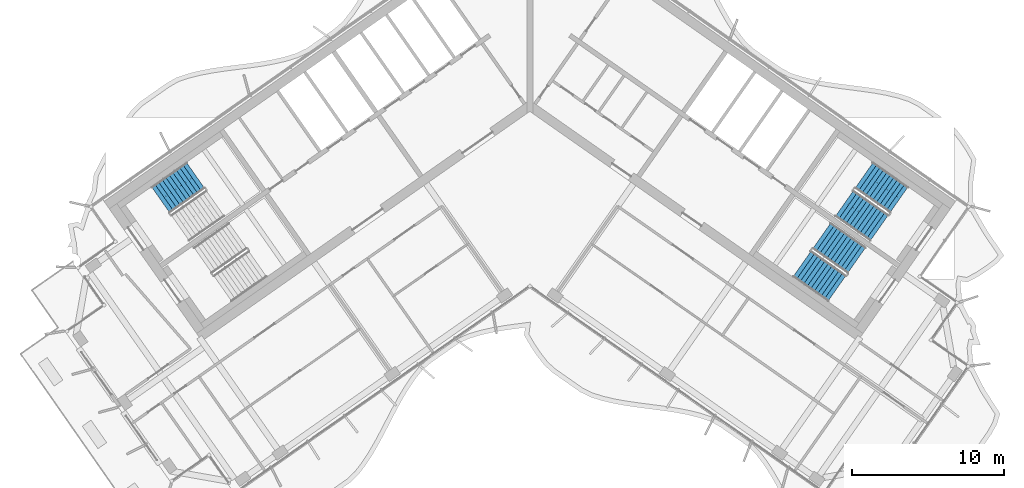
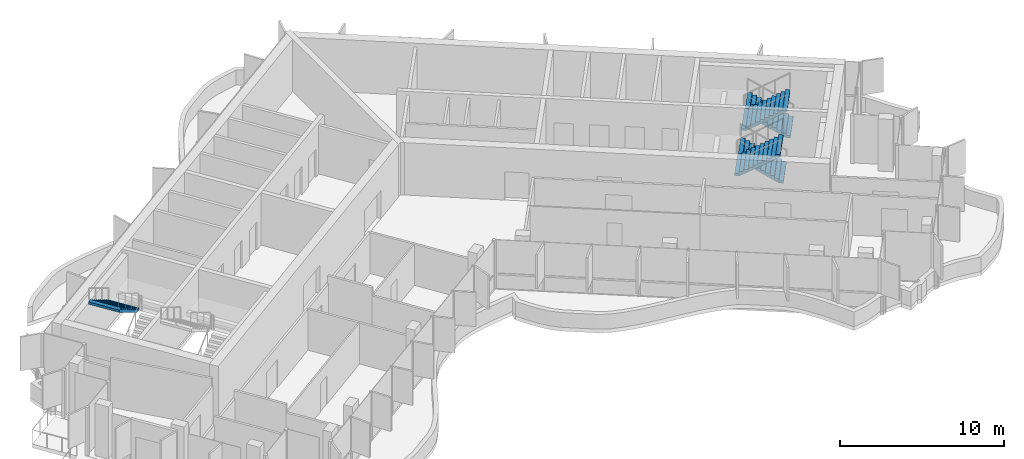
# One storey, part 12 of 18: 5 stair flights, 3 elements without a shape of their own.
"""IFC4 building model written with IfcOpenShell, lengths in metres."""

from ifc_helpers import new_model, si_unit, direction, frame, origin, place, context, subcontext, project, spatial, polyline, outline, extrude, material, type_object, element, aggregate, save


model = new_model("IFC4")

# Units and contexts
model_context = context("Model", 3, precision=1e-05, world=origin(), true_north=direction((0.0, 1.0)))
body_context = subcontext(model_context, "Body", "Model", "MODEL_VIEW")
ifc_project = project(units=[si_unit("LENGTHUNIT", "METRE"), si_unit("AREAUNIT", "SQUARE_METRE"), si_unit("VOLUMEUNIT", "CUBIC_METRE"), si_unit("PLANEANGLEUNIT", "RADIAN"), si_unit("MASSUNIT", "GRAM", prefix="KILO")], contexts=[model_context])

# Site, building, storey
site_placement = place(None, origin())
site = spatial("IfcSite", under=ifc_project, at=site_placement, CompositionType="ELEMENT")
building_placement = place(site_placement, origin())
building = spatial("IfcBuilding", under=site, at=building_placement, Name="Tel Ilan Convention Tower", CompositionType="ELEMENT")
storey_placement = place(building_placement, frame((0.0, 0.0, 295.60009765625)))
storey = spatial("IfcBuildingStorey", under=building, at=storey_placement, Name="L70", CompositionType="ELEMENT", Elevation=295.60009765625)

# Stair, stair flight
ifc_material_1 = material(Name="Concrete C40/50", Category="concrete")
stair_type = type_object("IfcStairType", Name="Pressurised Exit Stair 22 risers 177 mm", PredefinedType="HALF_TURN_STAIR", material=ifc_material_1)
stair_1_placement = place(storey_placement, origin())
stair_1 = element("IfcStair", 1, at=stair_1_placement, inside=storey, type_object=stair_type, Name="L70 Pressurised Stair S1", PredefinedType="HALF_TURN_STAIR")
ifc_material_2 = material(Name="Precast Concrete C40/50", Category="concrete")
stair_flight_type = type_object("IfcStairFlightType", Name="Concrete Stair Flight 2100 mm 22 risers 177 mm", PredefinedType="STRAIGHT", material=ifc_material_2)
stair_flight_1_placement = place(storey_placement, frame((-21.958740234375, -5.42626953125, 1.949951171875), z_axis=(0.0, 0.0, 1.0), x_axis=(-0.819152044289, -0.573576436351, 0.0)))
stair_flight_1 = element("IfcStairFlight", 2, at=stair_flight_1_placement, type_object=stair_flight_type, Name="S1 flight 2", NumberOfRisers=11, NumberOfTreads=10, PredefinedType="STRAIGHT", RiserHeight=0.177272727, TreadLength=0.28, context=body_context, shape_type="SweptSolid", body=[
    extrude(outline(polyline([(0.0, 0.0), (0.0, 0.17724609375), (0.280029296875, 0.17724609375), (0.280029296875, 0.3544921875), (0.56005859375, 0.3544921875), (0.56005859375, 0.53173828125), (0.840087890625, 0.53173828125), (0.840087890625, 0.708984375), (1.1201171875, 0.708984375), (1.1201171875, 0.886474609375), (1.39990234375, 0.886474609375), (1.39990234375, 1.063720703125), (1.679931640625, 1.063720703125), (1.679931640625, 1.240966796875), (1.9599609375, 1.240966796875), (1.9599609375, 1.418212890625), (2.239990234375, 1.418212890625), (2.239990234375, 1.595458984375), (2.52001953125, 1.595458984375), (2.52001953125, 1.772705078125), (2.800048828125, 1.772705078125), (2.800048828125, 1.949951171875), (2.800048828125, 1.59521484375), (0.2802734375, 0.0), (0.0, 0.0)])), frame((0.0, -0.100341796875, 0.0), z_axis=(0.0, -1.0, 0.0), x_axis=(1.0, 0.0, 0.0)), (0.0, 0.0, 1.0), 0.94970703125),
    extrude(outline(polyline([(0.0, 0.0), (0.0, 0.17724609375), (0.280029296875, 0.17724609375), (0.280029296875, 0.3544921875), (0.56005859375, 0.3544921875), (0.56005859375, 0.53173828125), (0.840087890625, 0.53173828125), (0.840087890625, 0.708984375), (1.1201171875, 0.708984375), (1.1201171875, 0.886474609375), (1.39990234375, 0.886474609375), (1.39990234375, 1.063720703125), (1.679931640625, 1.063720703125), (1.679931640625, 1.240966796875), (1.9599609375, 1.240966796875), (1.9599609375, 1.418212890625), (2.239990234375, 1.418212890625), (2.239990234375, 1.595458984375), (2.52001953125, 1.595458984375), (2.52001953125, 1.772705078125), (2.800048828125, 1.772705078125), (2.800048828125, 1.949951171875), (2.800048828125, 1.59521484375), (0.2802734375, 0.0), (0.0, 0.0)])), frame((0.0, -0.000244140625, 0.0), z_axis=(0.0, -1.0, 0.0), x_axis=(1.0, 0.0, 0.0)), (0.0, 0.0, 1.0), 0.099609375),
    extrude(outline(polyline([(0.0, 0.0), (0.0, 0.17724609375), (0.280029296875, 0.17724609375), (0.280029296875, 0.3544921875), (0.56005859375, 0.3544921875), (0.56005859375, 0.53173828125), (0.840087890625, 0.53173828125), (0.840087890625, 0.708984375), (1.1201171875, 0.708984375), (1.1201171875, 0.886474609375), (1.39990234375, 0.886474609375), (1.39990234375, 1.063720703125), (1.679931640625, 1.063720703125), (1.679931640625, 1.240966796875), (1.9599609375, 1.240966796875), (1.9599609375, 1.418212890625), (2.239990234375, 1.418212890625), (2.239990234375, 1.595458984375), (2.52001953125, 1.595458984375), (2.52001953125, 1.772705078125), (2.800048828125, 1.772705078125), (2.800048828125, 1.949951171875), (2.800048828125, 1.59521484375), (0.2802734375, 0.0), (0.0, 0.0)])), frame((0.0, 0.099853515625, 0.0), z_axis=(0.0, -1.0, 0.0), x_axis=(1.0, 0.0, 0.0)), (0.0, 0.0, 1.0), 0.099609375),
    extrude(outline(polyline([(0.0, 0.0), (0.0, 0.17724609375), (0.280029296875, 0.17724609375), (0.280029296875, 0.3544921875), (0.56005859375, 0.3544921875), (0.56005859375, 0.53173828125), (0.840087890625, 0.53173828125), (0.840087890625, 0.708984375), (1.1201171875, 0.708984375), (1.1201171875, 0.886474609375), (1.39990234375, 0.886474609375), (1.39990234375, 1.063720703125), (1.679931640625, 1.063720703125), (1.679931640625, 1.240966796875), (1.9599609375, 1.240966796875), (1.9599609375, 1.418212890625), (2.239990234375, 1.418212890625), (2.239990234375, 1.595458984375), (2.52001953125, 1.595458984375), (2.52001953125, 1.772705078125), (2.800048828125, 1.772705078125), (2.800048828125, 1.949951171875), (2.800048828125, 1.59521484375), (0.2802734375, 0.0), (0.0, 0.0)])), frame((0.0, 1.050048828125, 0.0), z_axis=(0.0, -1.0, 0.0), x_axis=(1.0, 0.0, 0.0)), (0.0, 0.0, 1.0), 0.94970703125),
])
aggregate(stair_1, [stair_flight_1])

# Stair, stair flights
stair_2_placement = place(storey_placement, origin())
stair_2 = element("IfcStair", 3, at=stair_2_placement, inside=storey, type_object=stair_type, Name="L70 Pressurised Stair S3", PredefinedType="HALF_TURN_STAIR")
stair_flight_2_placement = place(storey_placement, frame((24.25244140625, -7.032470703125, 0.0), z_axis=(0.0, 0.0, 1.0), x_axis=(-0.819152044289, 0.573576436351, 0.0)))
stair_flight_2 = element("IfcStairFlight", 4, at=stair_flight_2_placement, type_object=stair_flight_type, Name="S3 flight 1", NumberOfRisers=11, NumberOfTreads=10, PredefinedType="STRAIGHT", RiserHeight=0.177272727, TreadLength=0.28, context=body_context, shape_type="SweptSolid", body=[
    extrude(outline(polyline([(0.0, 0.0), (0.0, 0.17724609375), (0.280029296875, 0.17724609375), (0.280029296875, 0.3544921875), (0.56005859375, 0.3544921875), (0.56005859375, 0.53173828125), (0.840087890625, 0.53173828125), (0.840087890625, 0.708984375), (1.1201171875, 0.708984375), (1.1201171875, 0.886474609375), (1.39990234375, 0.886474609375), (1.39990234375, 1.063720703125), (1.679931640625, 1.063720703125), (1.679931640625, 1.240966796875), (1.9599609375, 1.240966796875), (1.9599609375, 1.418212890625), (2.239990234375, 1.418212890625), (2.239990234375, 1.595458984375), (2.52001953125, 1.595458984375), (2.52001953125, 1.772705078125), (2.800048828125, 1.772705078125), (2.800048828125, 1.949951171875), (2.800048828125, 1.59521484375), (0.2802734375, 0.0), (0.0, 0.0)])), frame((0.0, -0.100341796875, 0.0), z_axis=(0.0, -1.0, 0.0), x_axis=(1.0, 0.0, 0.0)), (0.0, 0.0, 1.0), 0.94970703125),
    extrude(outline(polyline([(0.0, 0.0), (0.0, 0.17724609375), (0.280029296875, 0.17724609375), (0.280029296875, 0.3544921875), (0.56005859375, 0.3544921875), (0.56005859375, 0.53173828125), (0.840087890625, 0.53173828125), (0.840087890625, 0.708984375), (1.1201171875, 0.708984375), (1.1201171875, 0.886474609375), (1.39990234375, 0.886474609375), (1.39990234375, 1.063720703125), (1.679931640625, 1.063720703125), (1.679931640625, 1.240966796875), (1.9599609375, 1.240966796875), (1.9599609375, 1.418212890625), (2.239990234375, 1.418212890625), (2.239990234375, 1.595458984375), (2.52001953125, 1.595458984375), (2.52001953125, 1.772705078125), (2.800048828125, 1.772705078125), (2.800048828125, 1.949951171875), (2.800048828125, 1.59521484375), (0.2802734375, 0.0), (0.0, 0.0)])), frame((0.0, -0.000244140625, 0.0), z_axis=(0.0, -1.0, 0.0), x_axis=(1.0, 0.0, 0.0)), (0.0, 0.0, 1.0), 0.099609375),
    extrude(outline(polyline([(0.0, 0.0), (0.0, 0.17724609375), (0.280029296875, 0.17724609375), (0.280029296875, 0.3544921875), (0.56005859375, 0.3544921875), (0.56005859375, 0.53173828125), (0.840087890625, 0.53173828125), (0.840087890625, 0.708984375), (1.1201171875, 0.708984375), (1.1201171875, 0.886474609375), (1.39990234375, 0.886474609375), (1.39990234375, 1.063720703125), (1.679931640625, 1.063720703125), (1.679931640625, 1.240966796875), (1.9599609375, 1.240966796875), (1.9599609375, 1.418212890625), (2.239990234375, 1.418212890625), (2.239990234375, 1.595458984375), (2.52001953125, 1.595458984375), (2.52001953125, 1.772705078125), (2.800048828125, 1.772705078125), (2.800048828125, 1.949951171875), (2.800048828125, 1.59521484375), (0.2802734375, 0.0), (0.0, 0.0)])), frame((0.0, 0.099853515625, 0.0), z_axis=(0.0, -1.0, 0.0), x_axis=(1.0, 0.0, 0.0)), (0.0, 0.0, 1.0), 0.099609375),
    extrude(outline(polyline([(0.0, 0.0), (0.0, 0.17724609375), (0.280029296875, 0.17724609375), (0.280029296875, 0.3544921875), (0.56005859375, 0.3544921875), (0.56005859375, 0.53173828125), (0.840087890625, 0.53173828125), (0.840087890625, 0.708984375), (1.1201171875, 0.708984375), (1.1201171875, 0.886474609375), (1.39990234375, 0.886474609375), (1.39990234375, 1.063720703125), (1.679931640625, 1.063720703125), (1.679931640625, 1.240966796875), (1.9599609375, 1.240966796875), (1.9599609375, 1.418212890625), (2.239990234375, 1.418212890625), (2.239990234375, 1.595458984375), (2.52001953125, 1.595458984375), (2.52001953125, 1.772705078125), (2.800048828125, 1.772705078125), (2.800048828125, 1.949951171875), (2.800048828125, 1.59521484375), (0.2802734375, 0.0), (0.0, 0.0)])), frame((0.0, 1.050048828125, 0.0), z_axis=(0.0, -1.0, 0.0), x_axis=(1.0, 0.0, 0.0)), (0.0, 0.0, 1.0), 0.94970703125),
])
stair_flight_3_placement = place(storey_placement, frame((20.668212890625, -7.26953125, 1.949951171875), z_axis=(0.0, 0.0, 1.0), x_axis=(0.819152044289, -0.573576436351, 0.0)))
stair_flight_3 = element("IfcStairFlight", 5, at=stair_flight_3_placement, type_object=stair_flight_type, Name="S3 flight 2", NumberOfRisers=11, NumberOfTreads=10, PredefinedType="STRAIGHT", RiserHeight=0.177272727, TreadLength=0.28, context=body_context, shape_type="SweptSolid", body=[
    extrude(outline(polyline([(0.0, 0.0), (0.0, 0.17724609375), (0.280029296875, 0.17724609375), (0.280029296875, 0.3544921875), (0.56005859375, 0.3544921875), (0.56005859375, 0.53173828125), (0.840087890625, 0.53173828125), (0.840087890625, 0.708984375), (1.1201171875, 0.708984375), (1.1201171875, 0.886474609375), (1.39990234375, 0.886474609375), (1.39990234375, 1.063720703125), (1.679931640625, 1.063720703125), (1.679931640625, 1.240966796875), (1.9599609375, 1.240966796875), (1.9599609375, 1.418212890625), (2.239990234375, 1.418212890625), (2.239990234375, 1.595458984375), (2.52001953125, 1.595458984375), (2.52001953125, 1.772705078125), (2.800048828125, 1.772705078125), (2.800048828125, 1.949951171875), (2.800048828125, 1.59521484375), (0.2802734375, 0.0), (0.0, 0.0)])), frame((0.0, -0.100341796875, 0.0), z_axis=(0.0, -1.0, 0.0), x_axis=(1.0, 0.0, 0.0)), (0.0, 0.0, 1.0), 0.94970703125),
    extrude(outline(polyline([(0.0, 0.0), (0.0, 0.17724609375), (0.280029296875, 0.17724609375), (0.280029296875, 0.3544921875), (0.56005859375, 0.3544921875), (0.56005859375, 0.53173828125), (0.840087890625, 0.53173828125), (0.840087890625, 0.708984375), (1.1201171875, 0.708984375), (1.1201171875, 0.886474609375), (1.39990234375, 0.886474609375), (1.39990234375, 1.063720703125), (1.679931640625, 1.063720703125), (1.679931640625, 1.240966796875), (1.9599609375, 1.240966796875), (1.9599609375, 1.418212890625), (2.239990234375, 1.418212890625), (2.239990234375, 1.595458984375), (2.52001953125, 1.595458984375), (2.52001953125, 1.772705078125), (2.800048828125, 1.772705078125), (2.800048828125, 1.949951171875), (2.800048828125, 1.59521484375), (0.2802734375, 0.0), (0.0, 0.0)])), frame((0.0, -0.000244140625, 0.0), z_axis=(0.0, -1.0, 0.0), x_axis=(1.0, 0.0, 0.0)), (0.0, 0.0, 1.0), 0.099609375),
    extrude(outline(polyline([(0.0, 0.0), (0.0, 0.17724609375), (0.280029296875, 0.17724609375), (0.280029296875, 0.3544921875), (0.56005859375, 0.3544921875), (0.56005859375, 0.53173828125), (0.840087890625, 0.53173828125), (0.840087890625, 0.708984375), (1.1201171875, 0.708984375), (1.1201171875, 0.886474609375), (1.39990234375, 0.886474609375), (1.39990234375, 1.063720703125), (1.679931640625, 1.063720703125), (1.679931640625, 1.240966796875), (1.9599609375, 1.240966796875), (1.9599609375, 1.418212890625), (2.239990234375, 1.418212890625), (2.239990234375, 1.595458984375), (2.52001953125, 1.595458984375), (2.52001953125, 1.772705078125), (2.800048828125, 1.772705078125), (2.800048828125, 1.949951171875), (2.800048828125, 1.59521484375), (0.2802734375, 0.0), (0.0, 0.0)])), frame((0.0, 0.099853515625, 0.0), z_axis=(0.0, -1.0, 0.0), x_axis=(1.0, 0.0, 0.0)), (0.0, 0.0, 1.0), 0.099609375),
    extrude(outline(polyline([(0.0, 0.0), (0.0, 0.17724609375), (0.280029296875, 0.17724609375), (0.280029296875, 0.3544921875), (0.56005859375, 0.3544921875), (0.56005859375, 0.53173828125), (0.840087890625, 0.53173828125), (0.840087890625, 0.708984375), (1.1201171875, 0.708984375), (1.1201171875, 0.886474609375), (1.39990234375, 0.886474609375), (1.39990234375, 1.063720703125), (1.679931640625, 1.063720703125), (1.679931640625, 1.240966796875), (1.9599609375, 1.240966796875), (1.9599609375, 1.418212890625), (2.239990234375, 1.418212890625), (2.239990234375, 1.595458984375), (2.52001953125, 1.595458984375), (2.52001953125, 1.772705078125), (2.800048828125, 1.772705078125), (2.800048828125, 1.949951171875), (2.800048828125, 1.59521484375), (0.2802734375, 0.0), (0.0, 0.0)])), frame((0.0, 1.050048828125, 0.0), z_axis=(0.0, -1.0, 0.0), x_axis=(1.0, 0.0, 0.0)), (0.0, 0.0, 1.0), 0.94970703125),
])
aggregate(stair_2, [stair_flight_2, stair_flight_3])

stair_3_placement = place(storey_placement, origin())
stair_3 = element("IfcStair", 6, at=stair_3_placement, inside=storey, type_object=stair_type, Name="L70 Pressurised Stair S4", PredefinedType="HALF_TURN_STAIR")
stair_flight_4_placement = place(storey_placement, frame((21.470458984375, -11.00537109375, 0.0), z_axis=(0.0, 0.0, 1.0), x_axis=(-0.819152044289, 0.573576436351, 0.0)))
stair_flight_4 = element("IfcStairFlight", 7, at=stair_flight_4_placement, type_object=stair_flight_type, Name="S4 flight 1", NumberOfRisers=11, NumberOfTreads=10, PredefinedType="STRAIGHT", RiserHeight=0.177272727, TreadLength=0.28, context=body_context, shape_type="SweptSolid", body=[
    extrude(outline(polyline([(0.0, 0.0), (0.0, 0.17724609375), (0.280029296875, 0.17724609375), (0.280029296875, 0.3544921875), (0.56005859375, 0.3544921875), (0.56005859375, 0.53173828125), (0.840087890625, 0.53173828125), (0.840087890625, 0.708984375), (1.1201171875, 0.708984375), (1.1201171875, 0.886474609375), (1.39990234375, 0.886474609375), (1.39990234375, 1.063720703125), (1.679931640625, 1.063720703125), (1.679931640625, 1.240966796875), (1.9599609375, 1.240966796875), (1.9599609375, 1.418212890625), (2.239990234375, 1.418212890625), (2.239990234375, 1.595458984375), (2.52001953125, 1.595458984375), (2.52001953125, 1.772705078125), (2.800048828125, 1.772705078125), (2.800048828125, 1.949951171875), (2.800048828125, 1.59521484375), (0.2802734375, 0.0), (0.0, 0.0)])), frame((0.0, -0.100341796875, 0.0), z_axis=(0.0, -1.0, 0.0), x_axis=(1.0, 0.0, 0.0)), (0.0, 0.0, 1.0), 0.94970703125),
    extrude(outline(polyline([(0.0, 0.0), (0.0, 0.17724609375), (0.280029296875, 0.17724609375), (0.280029296875, 0.3544921875), (0.56005859375, 0.3544921875), (0.56005859375, 0.53173828125), (0.840087890625, 0.53173828125), (0.840087890625, 0.708984375), (1.1201171875, 0.708984375), (1.1201171875, 0.886474609375), (1.39990234375, 0.886474609375), (1.39990234375, 1.063720703125), (1.679931640625, 1.063720703125), (1.679931640625, 1.240966796875), (1.9599609375, 1.240966796875), (1.9599609375, 1.418212890625), (2.239990234375, 1.418212890625), (2.239990234375, 1.595458984375), (2.52001953125, 1.595458984375), (2.52001953125, 1.772705078125), (2.800048828125, 1.772705078125), (2.800048828125, 1.949951171875), (2.800048828125, 1.59521484375), (0.2802734375, 0.0), (0.0, 0.0)])), frame((0.0, -0.000244140625, 0.0), z_axis=(0.0, -1.0, 0.0), x_axis=(1.0, 0.0, 0.0)), (0.0, 0.0, 1.0), 0.099609375),
    extrude(outline(polyline([(0.0, 0.0), (0.0, 0.17724609375), (0.280029296875, 0.17724609375), (0.280029296875, 0.3544921875), (0.56005859375, 0.3544921875), (0.56005859375, 0.53173828125), (0.840087890625, 0.53173828125), (0.840087890625, 0.708984375), (1.1201171875, 0.708984375), (1.1201171875, 0.886474609375), (1.39990234375, 0.886474609375), (1.39990234375, 1.063720703125), (1.679931640625, 1.063720703125), (1.679931640625, 1.240966796875), (1.9599609375, 1.240966796875), (1.9599609375, 1.418212890625), (2.239990234375, 1.418212890625), (2.239990234375, 1.595458984375), (2.52001953125, 1.595458984375), (2.52001953125, 1.772705078125), (2.800048828125, 1.772705078125), (2.800048828125, 1.949951171875), (2.800048828125, 1.59521484375), (0.2802734375, 0.0), (0.0, 0.0)])), frame((0.0, 0.099853515625, 0.0), z_axis=(0.0, -1.0, 0.0), x_axis=(1.0, 0.0, 0.0)), (0.0, 0.0, 1.0), 0.099609375),
    extrude(outline(polyline([(0.0, 0.0), (0.0, 0.17724609375), (0.280029296875, 0.17724609375), (0.280029296875, 0.3544921875), (0.56005859375, 0.3544921875), (0.56005859375, 0.53173828125), (0.840087890625, 0.53173828125), (0.840087890625, 0.708984375), (1.1201171875, 0.708984375), (1.1201171875, 0.886474609375), (1.39990234375, 0.886474609375), (1.39990234375, 1.063720703125), (1.679931640625, 1.063720703125), (1.679931640625, 1.240966796875), (1.9599609375, 1.240966796875), (1.9599609375, 1.418212890625), (2.239990234375, 1.418212890625), (2.239990234375, 1.595458984375), (2.52001953125, 1.595458984375), (2.52001953125, 1.772705078125), (2.800048828125, 1.772705078125), (2.800048828125, 1.949951171875), (2.800048828125, 1.59521484375), (0.2802734375, 0.0), (0.0, 0.0)])), frame((0.0, 1.050048828125, 0.0), z_axis=(0.0, -1.0, 0.0), x_axis=(1.0, 0.0, 0.0)), (0.0, 0.0, 1.0), 0.94970703125),
])
stair_flight_5_placement = place(storey_placement, frame((17.886474609375, -11.242431640625, 1.949951171875), z_axis=(0.0, 0.0, 1.0), x_axis=(0.819152044289, -0.573576436351, 0.0)))
stair_flight_5 = element("IfcStairFlight", 8, at=stair_flight_5_placement, type_object=stair_flight_type, Name="S4 flight 2", NumberOfRisers=11, NumberOfTreads=10, PredefinedType="STRAIGHT", RiserHeight=0.177272727, TreadLength=0.28, context=body_context, shape_type="SweptSolid", body=[
    extrude(outline(polyline([(0.0, 0.0), (0.0, 0.17724609375), (0.280029296875, 0.17724609375), (0.280029296875, 0.3544921875), (0.56005859375, 0.3544921875), (0.56005859375, 0.53173828125), (0.840087890625, 0.53173828125), (0.840087890625, 0.708984375), (1.1201171875, 0.708984375), (1.1201171875, 0.886474609375), (1.39990234375, 0.886474609375), (1.39990234375, 1.063720703125), (1.679931640625, 1.063720703125), (1.679931640625, 1.240966796875), (1.9599609375, 1.240966796875), (1.9599609375, 1.418212890625), (2.239990234375, 1.418212890625), (2.239990234375, 1.595458984375), (2.52001953125, 1.595458984375), (2.52001953125, 1.772705078125), (2.800048828125, 1.772705078125), (2.800048828125, 1.949951171875), (2.800048828125, 1.59521484375), (0.2802734375, 0.0), (0.0, 0.0)])), frame((0.0, -0.100341796875, 0.0), z_axis=(0.0, -1.0, 0.0), x_axis=(1.0, 0.0, 0.0)), (0.0, 0.0, 1.0), 0.94970703125),
    extrude(outline(polyline([(0.0, 0.0), (0.0, 0.17724609375), (0.280029296875, 0.17724609375), (0.280029296875, 0.3544921875), (0.56005859375, 0.3544921875), (0.56005859375, 0.53173828125), (0.840087890625, 0.53173828125), (0.840087890625, 0.708984375), (1.1201171875, 0.708984375), (1.1201171875, 0.886474609375), (1.39990234375, 0.886474609375), (1.39990234375, 1.063720703125), (1.679931640625, 1.063720703125), (1.679931640625, 1.240966796875), (1.9599609375, 1.240966796875), (1.9599609375, 1.418212890625), (2.239990234375, 1.418212890625), (2.239990234375, 1.595458984375), (2.52001953125, 1.595458984375), (2.52001953125, 1.772705078125), (2.800048828125, 1.772705078125), (2.800048828125, 1.949951171875), (2.800048828125, 1.59521484375), (0.2802734375, 0.0), (0.0, 0.0)])), frame((0.0, -0.000244140625, 0.0), z_axis=(0.0, -1.0, 0.0), x_axis=(1.0, 0.0, 0.0)), (0.0, 0.0, 1.0), 0.099609375),
    extrude(outline(polyline([(0.0, 0.0), (0.0, 0.17724609375), (0.280029296875, 0.17724609375), (0.280029296875, 0.3544921875), (0.56005859375, 0.3544921875), (0.56005859375, 0.53173828125), (0.840087890625, 0.53173828125), (0.840087890625, 0.708984375), (1.1201171875, 0.708984375), (1.1201171875, 0.886474609375), (1.39990234375, 0.886474609375), (1.39990234375, 1.063720703125), (1.679931640625, 1.063720703125), (1.679931640625, 1.240966796875), (1.9599609375, 1.240966796875), (1.9599609375, 1.418212890625), (2.239990234375, 1.418212890625), (2.239990234375, 1.595458984375), (2.52001953125, 1.595458984375), (2.52001953125, 1.772705078125), (2.800048828125, 1.772705078125), (2.800048828125, 1.949951171875), (2.800048828125, 1.59521484375), (0.2802734375, 0.0), (0.0, 0.0)])), frame((0.0, 0.099853515625, 0.0), z_axis=(0.0, -1.0, 0.0), x_axis=(1.0, 0.0, 0.0)), (0.0, 0.0, 1.0), 0.099609375),
    extrude(outline(polyline([(0.0, 0.0), (0.0, 0.17724609375), (0.280029296875, 0.17724609375), (0.280029296875, 0.3544921875), (0.56005859375, 0.3544921875), (0.56005859375, 0.53173828125), (0.840087890625, 0.53173828125), (0.840087890625, 0.708984375), (1.1201171875, 0.708984375), (1.1201171875, 0.886474609375), (1.39990234375, 0.886474609375), (1.39990234375, 1.063720703125), (1.679931640625, 1.063720703125), (1.679931640625, 1.240966796875), (1.9599609375, 1.240966796875), (1.9599609375, 1.418212890625), (2.239990234375, 1.418212890625), (2.239990234375, 1.595458984375), (2.52001953125, 1.595458984375), (2.52001953125, 1.772705078125), (2.800048828125, 1.772705078125), (2.800048828125, 1.949951171875), (2.800048828125, 1.59521484375), (0.2802734375, 0.0), (0.0, 0.0)])), frame((0.0, 1.050048828125, 0.0), z_axis=(0.0, -1.0, 0.0), x_axis=(1.0, 0.0, 0.0)), (0.0, 0.0, 1.0), 0.94970703125),
])
aggregate(stair_3, [stair_flight_4, stair_flight_5])

save(model, "model.ifc")
